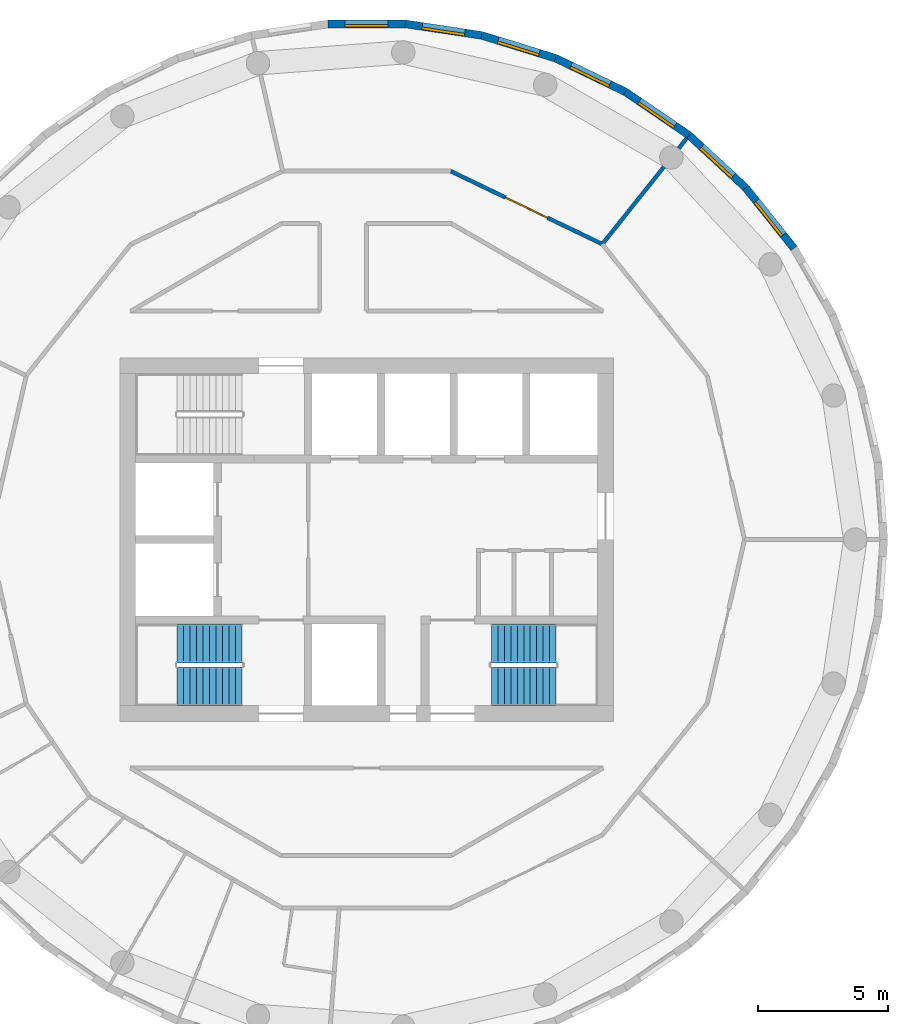
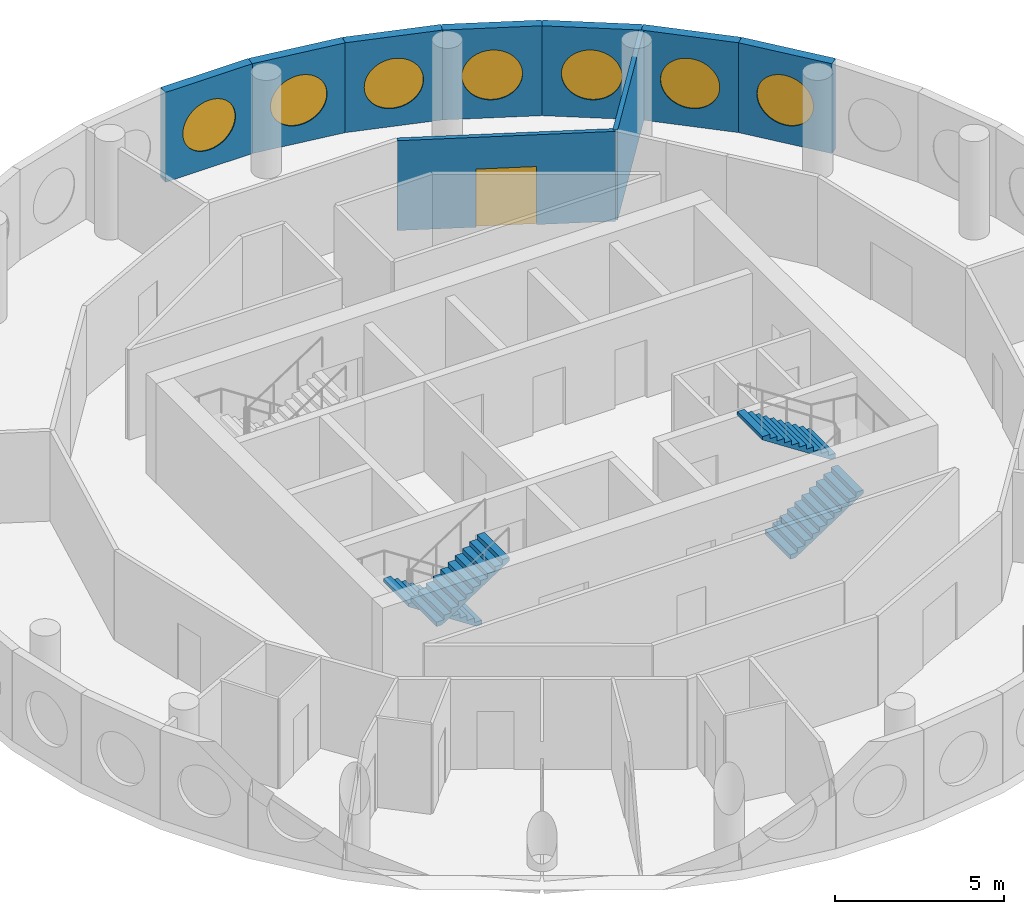
# One storey, part 10 of 12: 9 walls, 7 windows, 4 stair flights, 1 door, 8 openings, 2 elements without a shape of their own.
"""IFC4 building model written with IfcOpenShell, lengths in metres."""

from ifc_helpers import new_model, si_unit, direction, frame, frame_2d, origin, origin_2d, place, context, subcontext, project, spatial, polyline, rectangle, circle, outline, extrude, material, layer, layer_set, type_object, element, fill, aggregate, save


model = new_model("IFC4")

# Units and contexts
model_context = context("Model", 3, precision=1e-05, world=origin(), true_north=direction((0.0, 1.0)))
body_context = subcontext(model_context, "Body", "Model", "MODEL_VIEW")
ifc_project = project(units=[si_unit("LENGTHUNIT", "METRE"), si_unit("AREAUNIT", "SQUARE_METRE"), si_unit("VOLUMEUNIT", "CUBIC_METRE"), si_unit("PLANEANGLEUNIT", "RADIAN"), si_unit("MASSUNIT", "GRAM", prefix="KILO")], contexts=[model_context])

# Site, building, storey
site_placement = place(None, origin())
site = spatial("IfcSite", under=ifc_project, at=site_placement, CompositionType="ELEMENT")
building_placement = place(site_placement, origin())
building = spatial("IfcBuilding", under=site, at=building_placement, Name="Tracery Tower", CompositionType="ELEMENT")
storey_placement = place(building_placement, frame((0.0, 0.0, 327.0)))
storey = spatial("IfcBuildingStorey", under=building, at=storey_placement, Name="L85", CompositionType="ELEMENT", Elevation=327.0)

# Wall, opening, window
ifc_material_1 = material(Name="Precast concrete C50/60", Category="concrete")
ifc_layer_1 = layer(ifc_material_1, 0.300048828125)
ifc_layer_set_1 = layer_set([ifc_layer_1], Name="Facade panel 3000 x 3250")
wall_type_1 = type_object("IfcWallType", Name="Facade panel 3000 x 3250", PredefinedType="SOLIDWALL", material=ifc_layer_set_1)
wall_1_placement = place(storey_placement, frame((16.460205078125, 11.222412109375, 0.0), z_axis=(0.0, 0.0, 1.0), x_axis=(-0.623494374707, 0.781827835722, 0.0)))
wall_1 = element("IfcWall", 1, at=wall_1_placement, inside=storey, type_object=wall_type_1, Name="Facade panel 5 at L85", PredefinedType="SOLIDWALL", context=body_context, shape_type="SweptSolid", body=[
    extrude(rectangle(XDim=2.9775390625, YDim=0.300048828125, at=frame_2d((1.48876953125, 0.0))), origin(), (0.0, 0.0, 1.0), 3.25),
])
opening_1_placement = place(wall_1_placement, frame((1.48876953125, 0.0, 1.5498046875)))
opening_1 = element("IfcOpeningElement", 2, at=opening_1_placement, cuts=wall_1, Name="Opening WN1", PredefinedType="OPENING", context=body_context, shape_type="SweptSolid", body=[
    extrude(circle(Radius=0.9000244140625, at=origin_2d()), frame((0.0, 0.159912109375, 0.0), z_axis=(0.0, -1.0, 0.0), x_axis=(1.0, 0.0, 0.0)), (0.0, 0.0, 1.0), 0.320068359375),
])
ifc_material_2 = material(Name="Aluminium frame with tinted double glazing", Category="aluminium")
window_type = type_object("IfcWindowType", Name="Round window 1800", PartitioningType="SINGLE_PANEL", PredefinedType="WINDOW", material=ifc_material_2)
window_1_placement = place(opening_1_placement, origin())
window_1 = element("IfcWindow", 3, at=window_1_placement, inside=storey, type_object=window_type, Name="Round window 5 at L85", OverallHeight=1.800048828125, OverallWidth=1.800048828125, PartitioningType="SINGLE_PANEL", PredefinedType="WINDOW", context=body_context, shape_type="SweptSolid", body=[
    extrude(circle(Radius=0.9000244140625, at=origin_2d()), frame((0.0, 0.1201171875, 0.0), z_axis=(0.0, -1.0, 0.0), x_axis=(1.0, 0.0, 0.0)), (0.0, 0.0, 1.0), 0.10009765625),
])
fill(opening_1, window_1)

wall_2_placement = place(storey_placement, frame((14.603759765625, 13.55029296875, 0.0), z_axis=(0.0, 0.0, 1.0), x_axis=(-0.733056277766, 0.68016798927, 0.0)))
wall_2 = element("IfcWall", 4, at=wall_2_placement, inside=storey, type_object=wall_type_1, Name="Facade panel 6 at L85", PredefinedType="SOLIDWALL", context=body_context, shape_type="SweptSolid", body=[
    extrude(rectangle(XDim=2.9775390625, YDim=0.300048828125, at=frame_2d((1.48876953125, 0.0))), origin(), (0.0, 0.0, 1.0), 3.25),
])
opening_2_placement = place(wall_2_placement, frame((1.48876953125, 0.0, 1.5498046875)))
opening_2 = element("IfcOpeningElement", 5, at=opening_2_placement, cuts=wall_2, Name="Opening WN1", PredefinedType="OPENING", context=body_context, shape_type="SweptSolid", body=[
    extrude(circle(Radius=0.9000244140625, at=origin_2d()), frame((0.0, 0.159912109375, 0.0), z_axis=(0.0, -1.0, 0.0), x_axis=(1.0, 0.0, 0.0)), (0.0, 0.0, 1.0), 0.320068359375),
])
window_2_placement = place(opening_2_placement, origin())
window_2 = element("IfcWindow", 6, at=window_2_placement, inside=storey, type_object=window_type, Name="Round window 6 at L85", OverallHeight=1.800048828125, OverallWidth=1.800048828125, PartitioningType="SINGLE_PANEL", PredefinedType="WINDOW", context=body_context, shape_type="SweptSolid", body=[
    extrude(circle(Radius=0.9000244140625, at=origin_2d()), frame((0.0, 0.1201171875, 0.0), z_axis=(0.0, -1.0, 0.0), x_axis=(1.0, 0.0, 0.0)), (0.0, 0.0, 1.0), 0.10009765625),
])
fill(opening_2, window_2)

wall_3_placement = place(storey_placement, frame((12.421142578125, 15.575439453125, 0.0), z_axis=(0.0, 0.0, 1.0), x_axis=(-0.826253362584, 0.56329866041, 0.0)))
wall_3 = element("IfcWall", 7, at=wall_3_placement, inside=storey, type_object=wall_type_1, Name="Facade panel 7 at L85", PredefinedType="SOLIDWALL", context=body_context, shape_type="SweptSolid", body=[
    extrude(rectangle(XDim=2.9775390625, YDim=0.300048828125, at=frame_2d((1.48876953125, 0.0))), origin(), (0.0, 0.0, 1.0), 3.25),
])
opening_3_placement = place(wall_3_placement, frame((1.48876953125, 0.0, 1.5498046875)))
opening_3 = element("IfcOpeningElement", 8, at=opening_3_placement, cuts=wall_3, Name="Opening WN1", PredefinedType="OPENING", context=body_context, shape_type="SweptSolid", body=[
    extrude(circle(Radius=0.9000244140625, at=origin_2d()), frame((0.0, 0.159912109375, 0.0), z_axis=(0.0, -1.0, 0.0), x_axis=(1.0, 0.0, 0.0)), (0.0, 0.0, 1.0), 0.320068359375),
])
window_3_placement = place(opening_3_placement, origin())
window_3 = element("IfcWindow", 9, at=window_3_placement, inside=storey, type_object=window_type, Name="Round window 7 at L85", OverallHeight=1.800048828125, OverallWidth=1.800048828125, PartitioningType="SINGLE_PANEL", PredefinedType="WINDOW", context=body_context, shape_type="SweptSolid", body=[
    extrude(circle(Radius=0.9000244140625, at=origin_2d()), frame((0.0, 0.1201171875, 0.0), z_axis=(0.0, -1.0, 0.0), x_axis=(1.0, 0.0, 0.0)), (0.0, 0.0, 1.0), 0.10009765625),
])
fill(opening_3, window_3)

wall_4_placement = place(storey_placement, frame((9.9609375, 17.252685546875, 0.0), z_axis=(0.0, 0.0, 1.0), x_axis=(-0.900954184324, 0.433914228562, 0.0)))
wall_4 = element("IfcWall", 10, at=wall_4_placement, inside=storey, type_object=wall_type_1, Name="Facade panel 8 at L85", PredefinedType="SOLIDWALL", context=body_context, shape_type="SweptSolid", body=[
    extrude(rectangle(XDim=2.9775390625, YDim=0.300048828125, at=frame_2d((1.48876953125, 0.0))), origin(), (0.0, 0.0, 1.0), 3.25),
])
opening_4_placement = place(wall_4_placement, frame((1.48876953125, 0.0, 1.5498046875)))
opening_4 = element("IfcOpeningElement", 11, at=opening_4_placement, cuts=wall_4, Name="Opening WN1", PredefinedType="OPENING", context=body_context, shape_type="SweptSolid", body=[
    extrude(circle(Radius=0.9000244140625, at=origin_2d()), frame((0.0, 0.159912109375, 0.0), z_axis=(0.0, -1.0, 0.0), x_axis=(1.0, 0.0, 0.0)), (0.0, 0.0, 1.0), 0.320068359375),
])
window_4_placement = place(opening_4_placement, origin())
window_4 = element("IfcWindow", 12, at=window_4_placement, inside=storey, type_object=window_type, Name="Round window 8 at L85", OverallHeight=1.800048828125, OverallWidth=1.800048828125, PartitioningType="SINGLE_PANEL", PredefinedType="WINDOW", context=body_context, shape_type="SweptSolid", body=[
    extrude(circle(Radius=0.9000244140625, at=origin_2d()), frame((0.0, 0.1201171875, 0.0), z_axis=(0.0, -1.0, 0.0), x_axis=(1.0, 0.0, 0.0)), (0.0, 0.0, 1.0), 0.10009765625),
])
fill(opening_4, window_4)

wall_5_placement = place(storey_placement, frame((7.2783203125, 18.544677734375, 0.0), z_axis=(0.0, 0.0, 1.0), x_axis=(-0.955567792294, 0.294771427261, 0.0)))
wall_5 = element("IfcWall", 13, at=wall_5_placement, inside=storey, type_object=wall_type_1, Name="Facade panel 9 at L85", PredefinedType="SOLIDWALL", context=body_context, shape_type="SweptSolid", body=[
    extrude(rectangle(XDim=2.9775390625, YDim=0.300048828125, at=frame_2d((1.48876953125, 0.0))), origin(), (0.0, 0.0, 1.0), 3.25),
])
opening_5_placement = place(wall_5_placement, frame((1.48876953125, 0.0, 1.5498046875)))
opening_5 = element("IfcOpeningElement", 14, at=opening_5_placement, cuts=wall_5, Name="Opening WN1", PredefinedType="OPENING", context=body_context, shape_type="SweptSolid", body=[
    extrude(circle(Radius=0.9000244140625, at=origin_2d()), frame((0.0, 0.159912109375, 0.0), z_axis=(0.0, -1.0, 0.0), x_axis=(1.0, 0.0, 0.0)), (0.0, 0.0, 1.0), 0.320068359375),
])
window_5_placement = place(opening_5_placement, origin())
window_5 = element("IfcWindow", 15, at=window_5_placement, inside=storey, type_object=window_type, Name="Round window 9 at L85", OverallHeight=1.800048828125, OverallWidth=1.800048828125, PartitioningType="SINGLE_PANEL", PredefinedType="WINDOW", context=body_context, shape_type="SweptSolid", body=[
    extrude(circle(Radius=0.9000244140625, at=origin_2d()), frame((0.0, 0.1201171875, 0.0), z_axis=(0.0, -1.0, 0.0), x_axis=(1.0, 0.0, 0.0)), (0.0, 0.0, 1.0), 0.10009765625),
])
fill(opening_5, window_5)

wall_6_placement = place(storey_placement, frame((4.43310546875, 19.42236328125, 0.0), z_axis=(0.0, 0.0, 1.0), x_axis=(-0.988839917871, 0.148981934558, 0.0)))
wall_6 = element("IfcWall", 16, at=wall_6_placement, inside=storey, type_object=wall_type_1, Name="Facade panel 10 at L85", PredefinedType="SOLIDWALL", context=body_context, shape_type="SweptSolid", body=[
    extrude(rectangle(XDim=2.9775390625, YDim=0.300048828125, at=frame_2d((1.48876953125, 0.0))), origin(), (0.0, 0.0, 1.0), 3.25),
])
opening_6_placement = place(wall_6_placement, frame((1.48876953125, 0.0, 1.5498046875)))
opening_6 = element("IfcOpeningElement", 17, at=opening_6_placement, cuts=wall_6, Name="Opening WN1", PredefinedType="OPENING", context=body_context, shape_type="SweptSolid", body=[
    extrude(circle(Radius=0.9000244140625, at=origin_2d()), frame((0.0, 0.159912109375, 0.0), z_axis=(0.0, -1.0, 0.0), x_axis=(1.0, 0.0, 0.0)), (0.0, 0.0, 1.0), 0.320068359375),
])
window_6_placement = place(opening_6_placement, origin())
window_6 = element("IfcWindow", 18, at=window_6_placement, inside=storey, type_object=window_type, Name="Round window 10 at L85", OverallHeight=1.800048828125, OverallWidth=1.800048828125, PartitioningType="SINGLE_PANEL", PredefinedType="WINDOW", context=body_context, shape_type="SweptSolid", body=[
    extrude(circle(Radius=0.9000244140625, at=origin_2d()), frame((0.0, 0.1201171875, 0.0), z_axis=(0.0, -1.0, 0.0), x_axis=(1.0, 0.0, 0.0)), (0.0, 0.0, 1.0), 0.10009765625),
])
fill(opening_6, window_6)

wall_7_placement = place(storey_placement, frame((1.48876953125, 19.865966796875, 0.0), z_axis=(0.0, 0.0, 1.0), x_axis=(-1.0, 0.0, 0.0)))
wall_7 = element("IfcWall", 19, at=wall_7_placement, inside=storey, type_object=wall_type_1, Name="Facade panel 11 at L85", PredefinedType="SOLIDWALL", context=body_context, shape_type="SweptSolid", body=[
    extrude(rectangle(XDim=2.9775390625, YDim=0.300048828125, at=frame_2d((1.48876953125, 0.0))), origin(), (0.0, 0.0, 1.0), 3.25),
])
opening_7_placement = place(wall_7_placement, frame((1.48876953125, 0.0, 1.5498046875)))
opening_7 = element("IfcOpeningElement", 20, at=opening_7_placement, cuts=wall_7, Name="Opening WN1", PredefinedType="OPENING", context=body_context, shape_type="SweptSolid", body=[
    extrude(circle(Radius=0.9000244140625, at=origin_2d()), frame((0.0, 0.159912109375, 0.0), z_axis=(0.0, -1.0, 0.0), x_axis=(1.0, 0.0, 0.0)), (0.0, 0.0, 1.0), 0.320068359375),
])
window_7_placement = place(opening_7_placement, origin())
window_7 = element("IfcWindow", 21, at=window_7_placement, inside=storey, type_object=window_type, Name="Round window 11 at L85", OverallHeight=1.800048828125, OverallWidth=1.800048828125, PartitioningType="SINGLE_PANEL", PredefinedType="WINDOW", context=body_context, shape_type="SweptSolid", body=[
    extrude(circle(Radius=0.9000244140625, at=origin_2d()), frame((0.0, 0.1201171875, 0.0), z_axis=(0.0, -1.0, 0.0), x_axis=(1.0, 0.0, 0.0)), (0.0, 0.0, 1.0), 0.10009765625),
])
fill(opening_7, window_7)

# Wall
ifc_material_3 = material(Name="Plasterboard on steel studs", Category="steel")
ifc_layer_2 = layer(ifc_material_3, 0.14990234375)
ifc_layer_set_2 = layer_set([ifc_layer_2], Name="Partition 150 acoustic unit wall")
wall_type_2 = type_object("IfcWallType", Name="Partition 150 acoustic unit wall", PredefinedType="PARTITIONING", material=ifc_layer_set_2)
wall_8_placement = place(storey_placement, frame((9.075927734375, 11.381103515625, 0.0), z_axis=(0.0, 0.0, 1.0), x_axis=(0.623460949534, 0.781854490558, 0.0)))
element("IfcWall", 22, at=wall_8_placement, inside=storey, type_object=wall_type_2, Name="Unit wall RC10-039", PredefinedType="PARTITIONING", context=body_context, shape_type="SweptSolid", body=[
    extrude(rectangle(XDim=5.21435546875, YDim=0.14990234375, at=frame_2d((2.607177734375, 0.0))), origin(), (0.0, 0.0, 1.0), 3.25),
])

# Wall, opening, door
ifc_material_4 = material(Name="Plasterboard on steel studs", Category="steel")
ifc_layer_3 = layer(ifc_material_4, 0.14990234375)
ifc_layer_set_3 = layer_set([ifc_layer_3], Name="Partition 150 corridor wall")
wall_type_3 = type_object("IfcWallType", Name="Partition 150 corridor wall", PredefinedType="PARTITIONING", material=ifc_layer_set_3)
wall_9_placement = place(storey_placement, frame((3.239013671875, 14.19189453125, 0.0), z_axis=(0.0, 0.0, 1.0), x_axis=(0.900976027191, -0.433868872388, 0.0)))
wall_9 = element("IfcWall", 23, at=wall_9_placement, inside=storey, type_object=wall_type_3, Name="Corridor wall RC10-027", PredefinedType="PARTITIONING", context=body_context, shape_type="SweptSolid", body=[
    extrude(rectangle(XDim=6.478515625, YDim=0.14990234375, at=frame_2d((3.2392578125, 0.0))), origin(), (0.0, 0.0, 1.0), 3.25),
])
opening_8_placement = place(wall_9_placement, frame((2.339111328125, 0.0, 0.0)))
opening_8 = element("IfcOpeningElement", 24, at=opening_8_placement, cuts=wall_9, Name="Opening RC10-05", PredefinedType="OPENING", context=body_context, shape_type="SweptSolid", body=[
    extrude(rectangle(XDim=1.800048828125, YDim=2.10009765625, at=frame_2d((0.89990234375, 1.050048828125))), frame((0.0, 0.074951171875, 0.0), z_axis=(0.0, -1.0, 0.0), x_axis=(1.0, 0.0, 0.0)), (0.0, 0.0, 1.0), 0.14990234375),
])
ifc_material_5 = material(Name="Timber door leaf", Category="wood")
door_type = type_object("IfcDoorType", Name="Door double lounge 1800", OperationType="NOTDEFINED", PredefinedType="DOOR", material=ifc_material_5)
door_placement = place(opening_8_placement, origin())
door = element("IfcDoor", 25, at=door_placement, inside=storey, type_object=door_type, Name="Double lounge door RC10-05", OperationType="DOUBLE_DOOR_SINGLE_SWING", OverallHeight=2.10009765625, OverallWidth=1.800048828125, PredefinedType="DOOR", context=body_context, shape_type="SweptSolid", body=[
    extrude(rectangle(XDim=1.800048828125, YDim=2.10009765625, at=frame_2d((0.89990234375, 1.050048828125))), frame((0.0, 0.02490234375, 0.0), z_axis=(0.0, -1.0, 0.0), x_axis=(1.0, 0.0, 0.0)), (0.0, 0.0, 1.0), 0.050048828125),
])
fill(opening_8, door)

# Stair, stair flights
ifc_material_6 = material(Name="Concrete C32/40", Category="concrete")
stair_type = type_object("IfcStairType", Name="Core stair 22 risers", PredefinedType="HALF_TURN_STAIR", material=ifc_material_6)
stair_1_placement = place(storey_placement, origin())
stair_1 = element("IfcStair", 26, at=stair_1_placement, inside=storey, type_object=stair_type, Name="L85 stair ST1", PredefinedType="HALF_TURN_STAIR")
ifc_material_7 = material(Name="Concrete C32/40", Category="concrete")
stair_flight_type = type_object("IfcStairFlightType", Name="Core stair flight 11 risers", PredefinedType="STRAIGHT", material=ifc_material_7)
stair_flight_1_placement = place(storey_placement, frame((-4.800048828125, -4.0, 0.0), z_axis=(0.0, 0.0, 1.0), x_axis=(-1.0, 0.0, 0.0)))
stair_flight_1 = element("IfcStairFlight", 27, at=stair_flight_1_placement, type_object=stair_flight_type, Name="ST1 flight 1", NumberOfRisers=11, NumberOfTreads=10, PredefinedType="STRAIGHT", RiserHeight=0.163636364, TreadLength=0.25, context=body_context, shape_type="SweptSolid", body=[
    extrude(outline(polyline([(0.0, 0.0), (0.0, 0.002685546875), (0.0, 0.00537109375), (0.0, 0.008056640625), (0.0, 0.0107421875), (0.0, 0.013427734375), (0.0, 0.01611328125), (0.0, 0.018798828125), (0.0, 0.021484375), (0.0, 0.024169921875), (0.0, 0.02685546875), (0.0, 0.029541015625), (0.0, 0.0322265625), (0.0, 0.034912109375), (0.0, 0.03759765625), (0.0, 0.040283203125), (0.0, 0.04296875), (0.0, 0.045654296875), (0.0, 0.04833984375), (0.0, 0.051025390625), (0.0, 0.0537109375), (0.0, 0.056396484375), (0.0, 0.05908203125), (0.0, 0.061767578125), (0.0, 0.064453125), (0.0, 0.067138671875), (0.0, 0.06982421875), (0.0, 0.072509765625), (0.0, 0.0751953125), (0.0, 0.077880859375), (0.0, 0.08056640625), (0.0, 0.083251953125), (0.0, 0.0859375), (0.0, 0.088623046875), (0.0, 0.09130859375), (0.0, 0.093994140625), (0.0, 0.0966796875), (0.0, 0.099365234375), (0.0, 0.10205078125), (0.0, 0.104736328125), (0.0, 0.107421875), (0.0, 0.10986328125), (0.0, 0.112548828125), (0.0, 0.115234375), (0.0, 0.117919921875), (0.0, 0.12060546875), (0.0, 0.123291015625), (0.0, 0.1259765625), (0.0, 0.128662109375), (0.0, 0.13134765625), (0.0, 0.134033203125), (0.0, 0.13671875), (0.0, 0.139404296875), (0.0, 0.14208984375), (0.0, 0.144775390625), (0.0, 0.1474609375), (0.0, 0.150146484375), (0.0, 0.15283203125), (0.0, 0.155517578125), (0.0, 0.158203125), (0.0, 0.160888671875), (0.0, 0.16357421875), (0.25, 0.16357421875), (0.25, 0.327392578125), (0.5, 0.327392578125), (0.5, 0.490966796875), (0.75, 0.490966796875), (0.75, 0.654541015625), (1.0, 0.654541015625), (1.0, 0.818115234375), (1.25, 0.818115234375), (1.25, 0.98193359375), (1.5, 0.98193359375), (1.5, 1.1455078125), (1.75, 1.1455078125), (1.75, 1.30908203125), (2.0, 1.30908203125), (2.0, 1.47265625), (2.25, 1.47265625), (2.25, 1.636474609375), (2.5, 1.636474609375), (2.5, 1.634521484375), (2.5, 1.63232421875), (2.5, 1.63037109375), (2.5, 1.62841796875), (2.5, 1.62646484375), (2.5, 1.62451171875), (2.5, 1.62255859375), (2.5, 1.62060546875), (2.5, 1.61865234375), (2.5, 1.61669921875), (2.5, 1.61474609375), (2.5, 1.61279296875), (2.5, 1.61083984375), (2.5, 1.60888671875), (2.5, 1.60693359375), (2.5, 1.60498046875), (2.5, 1.60302734375), (2.5, 1.60107421875), (2.5, 1.59912109375), (2.5, 1.59716796875), (2.5, 1.59521484375), (2.5, 1.59326171875), (2.5, 1.59130859375), (2.5, 1.58935546875), (2.5, 1.58740234375), (2.5, 1.58544921875), (2.5, 1.58349609375), (2.5, 1.58154296875), (2.5, 1.57958984375), (2.5, 1.57763671875), (2.5, 1.57568359375), (2.5, 1.573486328125), (2.5, 1.571533203125), (2.5, 1.569580078125), (2.5, 1.567626953125), (2.5, 1.565673828125), (2.5, 1.563720703125), (2.5, 1.561767578125), (2.5, 1.559814453125), (2.5, 1.557861328125), (2.5, 1.555908203125), (2.5, 1.553955078125), (2.5, 1.552001953125), (2.5, 1.550048828125), (2.5, 1.548095703125), (2.5, 1.546142578125), (2.5, 1.544189453125), (2.5, 1.542236328125), (2.5, 1.540283203125), (2.5, 1.538330078125), (2.5, 1.536376953125), (2.5, 1.534423828125), (2.5, 1.532470703125), (2.5, 1.530517578125), (2.5, 1.528564453125), (2.5, 1.526611328125), (2.5, 1.524658203125), (2.5, 1.522705078125), (2.5, 1.520751953125), (2.5, 1.518798828125), (2.5, 1.516845703125), (0.182861328125, 0.0), (0.0, 0.0)])), frame((0.0, 0.75, 0.0), z_axis=(0.0, -1.0, 0.0), x_axis=(1.0, 0.0, 0.0)), (0.0, 0.0, 1.0), 1.5),
])
stair_flight_2_placement = place(storey_placement, frame((-7.300048828125, -5.64990234375, 1.800048828125), z_axis=(0.0, 0.0, 1.0), x_axis=(1.0, 0.0, 0.0)))
stair_flight_2 = element("IfcStairFlight", 28, at=stair_flight_2_placement, type_object=stair_flight_type, Name="ST1 flight 2", NumberOfRisers=11, NumberOfTreads=10, PredefinedType="STRAIGHT", RiserHeight=0.163636364, TreadLength=0.25, context=body_context, shape_type="SweptSolid", body=[
    extrude(outline(polyline([(0.0, 0.0), (0.0, 0.002685546875), (0.0, 0.00537109375), (0.0, 0.008056640625), (0.0, 0.0107421875), (0.0, 0.013427734375), (0.0, 0.01611328125), (0.0, 0.018798828125), (0.0, 0.021484375), (0.0, 0.024169921875), (0.0, 0.02685546875), (0.0, 0.029541015625), (0.0, 0.0322265625), (0.0, 0.034912109375), (0.0, 0.03759765625), (0.0, 0.040283203125), (0.0, 0.04296875), (0.0, 0.045654296875), (0.0, 0.04833984375), (0.0, 0.051025390625), (0.0, 0.0537109375), (0.0, 0.056396484375), (0.0, 0.05908203125), (0.0, 0.061767578125), (0.0, 0.064453125), (0.0, 0.067138671875), (0.0, 0.06982421875), (0.0, 0.072509765625), (0.0, 0.0751953125), (0.0, 0.077880859375), (0.0, 0.08056640625), (0.0, 0.083251953125), (0.0, 0.0859375), (0.0, 0.088623046875), (0.0, 0.09130859375), (0.0, 0.093994140625), (0.0, 0.0966796875), (0.0, 0.099365234375), (0.0, 0.10205078125), (0.0, 0.104736328125), (0.0, 0.107421875), (0.0, 0.10986328125), (0.0, 0.112548828125), (0.0, 0.115234375), (0.0, 0.117919921875), (0.0, 0.12060546875), (0.0, 0.123291015625), (0.0, 0.1259765625), (0.0, 0.128662109375), (0.0, 0.13134765625), (0.0, 0.134033203125), (0.0, 0.13671875), (0.0, 0.139404296875), (0.0, 0.14208984375), (0.0, 0.144775390625), (0.0, 0.1474609375), (0.0, 0.150146484375), (0.0, 0.15283203125), (0.0, 0.155517578125), (0.0, 0.158203125), (0.0, 0.160888671875), (0.0, 0.16357421875), (0.25, 0.16357421875), (0.25, 0.327392578125), (0.5, 0.327392578125), (0.5, 0.490966796875), (0.75, 0.490966796875), (0.75, 0.654541015625), (1.0, 0.654541015625), (1.0, 0.818115234375), (1.25, 0.818115234375), (1.25, 0.98193359375), (1.5, 0.98193359375), (1.5, 1.1455078125), (1.75, 1.1455078125), (1.75, 1.30908203125), (2.0, 1.30908203125), (2.0, 1.47265625), (2.25, 1.47265625), (2.25, 1.636474609375), (2.5, 1.636474609375), (2.5, 1.634521484375), (2.5, 1.63232421875), (2.5, 1.63037109375), (2.5, 1.62841796875), (2.5, 1.62646484375), (2.5, 1.62451171875), (2.5, 1.62255859375), (2.5, 1.62060546875), (2.5, 1.61865234375), (2.5, 1.61669921875), (2.5, 1.61474609375), (2.5, 1.61279296875), (2.5, 1.61083984375), (2.5, 1.60888671875), (2.5, 1.60693359375), (2.5, 1.60498046875), (2.5, 1.60302734375), (2.5, 1.60107421875), (2.5, 1.59912109375), (2.5, 1.59716796875), (2.5, 1.59521484375), (2.5, 1.59326171875), (2.5, 1.59130859375), (2.5, 1.58935546875), (2.5, 1.58740234375), (2.5, 1.58544921875), (2.5, 1.58349609375), (2.5, 1.58154296875), (2.5, 1.57958984375), (2.5, 1.57763671875), (2.5, 1.57568359375), (2.5, 1.573486328125), (2.5, 1.571533203125), (2.5, 1.569580078125), (2.5, 1.567626953125), (2.5, 1.565673828125), (2.5, 1.563720703125), (2.5, 1.561767578125), (2.5, 1.559814453125), (2.5, 1.557861328125), (2.5, 1.555908203125), (2.5, 1.553955078125), (2.5, 1.552001953125), (2.5, 1.550048828125), (2.5, 1.548095703125), (2.5, 1.546142578125), (2.5, 1.544189453125), (2.5, 1.542236328125), (2.5, 1.540283203125), (2.5, 1.538330078125), (2.5, 1.536376953125), (2.5, 1.534423828125), (2.5, 1.532470703125), (2.5, 1.530517578125), (2.5, 1.528564453125), (2.5, 1.526611328125), (2.5, 1.524658203125), (2.5, 1.522705078125), (2.5, 1.520751953125), (2.5, 1.518798828125), (2.5, 1.516845703125), (0.182861328125, 0.0), (0.0, 0.0)])), frame((0.0, 0.75, 0.0), z_axis=(0.0, -1.0, 0.0), x_axis=(1.0, 0.0, 0.0)), (0.0, 0.0, 1.0), 1.5),
])
aggregate(stair_1, [stair_flight_1, stair_flight_2])

stair_2_placement = place(storey_placement, origin())
stair_2 = element("IfcStair", 29, at=stair_2_placement, inside=storey, type_object=stair_type, Name="L85 stair ST2", PredefinedType="HALF_TURN_STAIR")
stair_flight_3_placement = place(storey_placement, frame((4.800048828125, -5.64990234375, 0.0), z_axis=(0.0, 0.0, 1.0), x_axis=(1.0, 0.0, 0.0)))
stair_flight_3 = element("IfcStairFlight", 30, at=stair_flight_3_placement, type_object=stair_flight_type, Name="ST2 flight 1", NumberOfRisers=11, NumberOfTreads=10, PredefinedType="STRAIGHT", RiserHeight=0.163636364, TreadLength=0.25, context=body_context, shape_type="SweptSolid", body=[
    extrude(outline(polyline([(0.0, 0.0), (0.0, 0.002685546875), (0.0, 0.00537109375), (0.0, 0.008056640625), (0.0, 0.0107421875), (0.0, 0.013427734375), (0.0, 0.01611328125), (0.0, 0.018798828125), (0.0, 0.021484375), (0.0, 0.024169921875), (0.0, 0.02685546875), (0.0, 0.029541015625), (0.0, 0.0322265625), (0.0, 0.034912109375), (0.0, 0.03759765625), (0.0, 0.040283203125), (0.0, 0.04296875), (0.0, 0.045654296875), (0.0, 0.04833984375), (0.0, 0.051025390625), (0.0, 0.0537109375), (0.0, 0.056396484375), (0.0, 0.05908203125), (0.0, 0.061767578125), (0.0, 0.064453125), (0.0, 0.067138671875), (0.0, 0.06982421875), (0.0, 0.072509765625), (0.0, 0.0751953125), (0.0, 0.077880859375), (0.0, 0.08056640625), (0.0, 0.083251953125), (0.0, 0.0859375), (0.0, 0.088623046875), (0.0, 0.09130859375), (0.0, 0.093994140625), (0.0, 0.0966796875), (0.0, 0.099365234375), (0.0, 0.10205078125), (0.0, 0.104736328125), (0.0, 0.107421875), (0.0, 0.10986328125), (0.0, 0.112548828125), (0.0, 0.115234375), (0.0, 0.117919921875), (0.0, 0.12060546875), (0.0, 0.123291015625), (0.0, 0.1259765625), (0.0, 0.128662109375), (0.0, 0.13134765625), (0.0, 0.134033203125), (0.0, 0.13671875), (0.0, 0.139404296875), (0.0, 0.14208984375), (0.0, 0.144775390625), (0.0, 0.1474609375), (0.0, 0.150146484375), (0.0, 0.15283203125), (0.0, 0.155517578125), (0.0, 0.158203125), (0.0, 0.160888671875), (0.0, 0.16357421875), (0.25, 0.16357421875), (0.25, 0.327392578125), (0.5, 0.327392578125), (0.5, 0.490966796875), (0.75, 0.490966796875), (0.75, 0.654541015625), (1.0, 0.654541015625), (1.0, 0.818115234375), (1.25, 0.818115234375), (1.25, 0.98193359375), (1.5, 0.98193359375), (1.5, 1.1455078125), (1.75, 1.1455078125), (1.75, 1.30908203125), (2.0, 1.30908203125), (2.0, 1.47265625), (2.25, 1.47265625), (2.25, 1.636474609375), (2.5, 1.636474609375), (2.5, 1.634521484375), (2.5, 1.63232421875), (2.5, 1.63037109375), (2.5, 1.62841796875), (2.5, 1.62646484375), (2.5, 1.62451171875), (2.5, 1.62255859375), (2.5, 1.62060546875), (2.5, 1.61865234375), (2.5, 1.61669921875), (2.5, 1.61474609375), (2.5, 1.61279296875), (2.5, 1.61083984375), (2.5, 1.60888671875), (2.5, 1.60693359375), (2.5, 1.60498046875), (2.5, 1.60302734375), (2.5, 1.60107421875), (2.5, 1.59912109375), (2.5, 1.59716796875), (2.5, 1.59521484375), (2.5, 1.59326171875), (2.5, 1.59130859375), (2.5, 1.58935546875), (2.5, 1.58740234375), (2.5, 1.58544921875), (2.5, 1.58349609375), (2.5, 1.58154296875), (2.5, 1.57958984375), (2.5, 1.57763671875), (2.5, 1.57568359375), (2.5, 1.573486328125), (2.5, 1.571533203125), (2.5, 1.569580078125), (2.5, 1.567626953125), (2.5, 1.565673828125), (2.5, 1.563720703125), (2.5, 1.561767578125), (2.5, 1.559814453125), (2.5, 1.557861328125), (2.5, 1.555908203125), (2.5, 1.553955078125), (2.5, 1.552001953125), (2.5, 1.550048828125), (2.5, 1.548095703125), (2.5, 1.546142578125), (2.5, 1.544189453125), (2.5, 1.542236328125), (2.5, 1.540283203125), (2.5, 1.538330078125), (2.5, 1.536376953125), (2.5, 1.534423828125), (2.5, 1.532470703125), (2.5, 1.530517578125), (2.5, 1.528564453125), (2.5, 1.526611328125), (2.5, 1.524658203125), (2.5, 1.522705078125), (2.5, 1.520751953125), (2.5, 1.518798828125), (2.5, 1.516845703125), (0.182861328125, 0.0), (0.0, 0.0)])), frame((0.0, 0.75, 0.0), z_axis=(0.0, -1.0, 0.0), x_axis=(1.0, 0.0, 0.0)), (0.0, 0.0, 1.0), 1.5),
])
stair_flight_4_placement = place(storey_placement, frame((7.300048828125, -4.0, 1.800048828125), z_axis=(0.0, 0.0, 1.0), x_axis=(-1.0, 0.0, 0.0)))
stair_flight_4 = element("IfcStairFlight", 31, at=stair_flight_4_placement, type_object=stair_flight_type, Name="ST2 flight 2", NumberOfRisers=11, NumberOfTreads=10, PredefinedType="STRAIGHT", RiserHeight=0.163636364, TreadLength=0.25, context=body_context, shape_type="SweptSolid", body=[
    extrude(outline(polyline([(0.0, 0.0), (0.0, 0.002685546875), (0.0, 0.00537109375), (0.0, 0.008056640625), (0.0, 0.0107421875), (0.0, 0.013427734375), (0.0, 0.01611328125), (0.0, 0.018798828125), (0.0, 0.021484375), (0.0, 0.024169921875), (0.0, 0.02685546875), (0.0, 0.029541015625), (0.0, 0.0322265625), (0.0, 0.034912109375), (0.0, 0.03759765625), (0.0, 0.040283203125), (0.0, 0.04296875), (0.0, 0.045654296875), (0.0, 0.04833984375), (0.0, 0.051025390625), (0.0, 0.0537109375), (0.0, 0.056396484375), (0.0, 0.05908203125), (0.0, 0.061767578125), (0.0, 0.064453125), (0.0, 0.067138671875), (0.0, 0.06982421875), (0.0, 0.072509765625), (0.0, 0.0751953125), (0.0, 0.077880859375), (0.0, 0.08056640625), (0.0, 0.083251953125), (0.0, 0.0859375), (0.0, 0.088623046875), (0.0, 0.09130859375), (0.0, 0.093994140625), (0.0, 0.0966796875), (0.0, 0.099365234375), (0.0, 0.10205078125), (0.0, 0.104736328125), (0.0, 0.107421875), (0.0, 0.10986328125), (0.0, 0.112548828125), (0.0, 0.115234375), (0.0, 0.117919921875), (0.0, 0.12060546875), (0.0, 0.123291015625), (0.0, 0.1259765625), (0.0, 0.128662109375), (0.0, 0.13134765625), (0.0, 0.134033203125), (0.0, 0.13671875), (0.0, 0.139404296875), (0.0, 0.14208984375), (0.0, 0.144775390625), (0.0, 0.1474609375), (0.0, 0.150146484375), (0.0, 0.15283203125), (0.0, 0.155517578125), (0.0, 0.158203125), (0.0, 0.160888671875), (0.0, 0.16357421875), (0.25, 0.16357421875), (0.25, 0.327392578125), (0.5, 0.327392578125), (0.5, 0.490966796875), (0.75, 0.490966796875), (0.75, 0.654541015625), (1.0, 0.654541015625), (1.0, 0.818115234375), (1.25, 0.818115234375), (1.25, 0.98193359375), (1.5, 0.98193359375), (1.5, 1.1455078125), (1.75, 1.1455078125), (1.75, 1.30908203125), (2.0, 1.30908203125), (2.0, 1.47265625), (2.25, 1.47265625), (2.25, 1.636474609375), (2.5, 1.636474609375), (2.5, 1.634521484375), (2.5, 1.63232421875), (2.5, 1.63037109375), (2.5, 1.62841796875), (2.5, 1.62646484375), (2.5, 1.62451171875), (2.5, 1.62255859375), (2.5, 1.62060546875), (2.5, 1.61865234375), (2.5, 1.61669921875), (2.5, 1.61474609375), (2.5, 1.61279296875), (2.5, 1.61083984375), (2.5, 1.60888671875), (2.5, 1.60693359375), (2.5, 1.60498046875), (2.5, 1.60302734375), (2.5, 1.60107421875), (2.5, 1.59912109375), (2.5, 1.59716796875), (2.5, 1.59521484375), (2.5, 1.59326171875), (2.5, 1.59130859375), (2.5, 1.58935546875), (2.5, 1.58740234375), (2.5, 1.58544921875), (2.5, 1.58349609375), (2.5, 1.58154296875), (2.5, 1.57958984375), (2.5, 1.57763671875), (2.5, 1.57568359375), (2.5, 1.573486328125), (2.5, 1.571533203125), (2.5, 1.569580078125), (2.5, 1.567626953125), (2.5, 1.565673828125), (2.5, 1.563720703125), (2.5, 1.561767578125), (2.5, 1.559814453125), (2.5, 1.557861328125), (2.5, 1.555908203125), (2.5, 1.553955078125), (2.5, 1.552001953125), (2.5, 1.550048828125), (2.5, 1.548095703125), (2.5, 1.546142578125), (2.5, 1.544189453125), (2.5, 1.542236328125), (2.5, 1.540283203125), (2.5, 1.538330078125), (2.5, 1.536376953125), (2.5, 1.534423828125), (2.5, 1.532470703125), (2.5, 1.530517578125), (2.5, 1.528564453125), (2.5, 1.526611328125), (2.5, 1.524658203125), (2.5, 1.522705078125), (2.5, 1.520751953125), (2.5, 1.518798828125), (2.5, 1.516845703125), (0.182861328125, 0.0), (0.0, 0.0)])), frame((0.0, 0.75, 0.0), z_axis=(0.0, -1.0, 0.0), x_axis=(1.0, 0.0, 0.0)), (0.0, 0.0, 1.0), 1.5),
])
aggregate(stair_2, [stair_flight_3, stair_flight_4])

save(model, "model.ifc")
